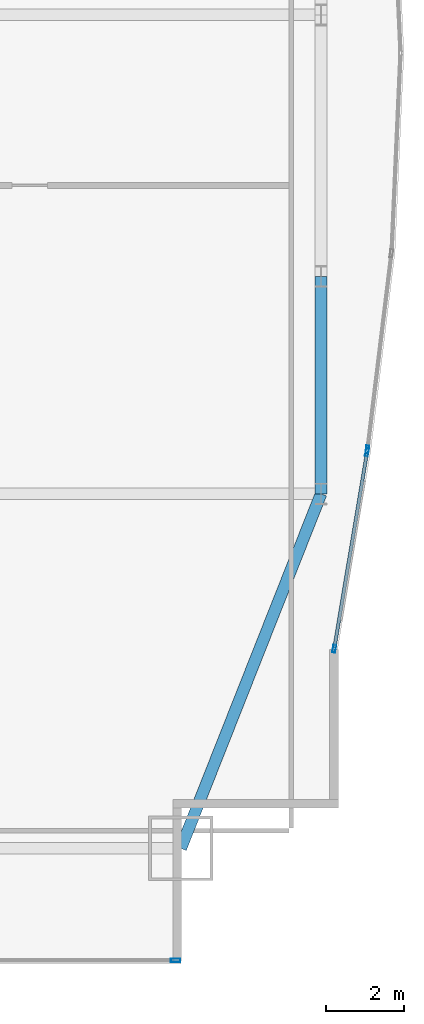
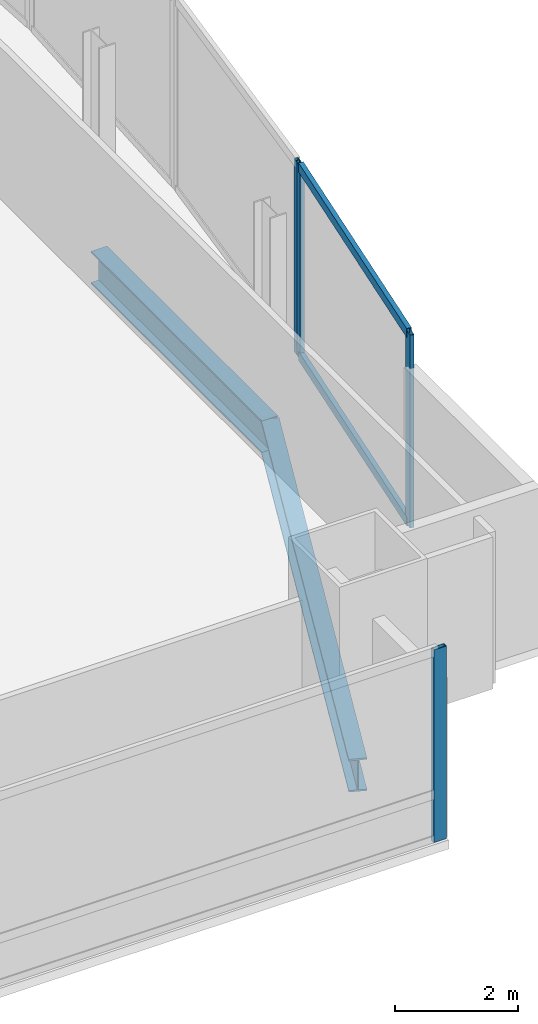
# One storey, part 21 of 32: 6 members, 2 beams, 3 elements without a shape of their own.
"""IFC4 building model written with IfcOpenShell, lengths in metres."""

from ifc_helpers import new_model, si_unit, direction, frame, origin, origin_2d, place, context, subcontext, project, spatial, hollow_rectangle, i_section, extrude, material, material_profile, profile_set, type_object, element, aggregate, save


model = new_model("IFC4")

# Units and contexts
model_context = context("Model", 3, precision=1e-05, world=origin(), true_north=direction((0.0, 1.0)))
body_context = subcontext(model_context, "Body", "Model", "MODEL_VIEW")
ifc_project = project(units=[si_unit("LENGTHUNIT", "METRE"), si_unit("AREAUNIT", "SQUARE_METRE"), si_unit("VOLUMEUNIT", "CUBIC_METRE"), si_unit("PLANEANGLEUNIT", "RADIAN"), si_unit("MASSUNIT", "GRAM", prefix="KILO")], contexts=[model_context])

# Site, building, storey
site_placement = place(None, origin())
site = spatial("IfcSite", under=ifc_project, at=site_placement, CompositionType="ELEMENT")
building_placement = place(site_placement, origin())
building = spatial("IfcBuilding", under=site, at=building_placement, Name="Khoronbel Lancet Exchange", CompositionType="ELEMENT")
storey_placement = place(building_placement, frame((0.0, 0.0, 41.800048828125)))
storey = spatial("IfcBuildingStorey", under=building, at=storey_placement, Name="L09", CompositionType="ELEMENT", Elevation=41.800048828125)

# Beams
ifc_material_1 = material(Name="Steel S355", Category="steel")
ifc_material_profile_1 = material_profile(ifc_material_1, i_section(OverallWidth=0.300048828125, OverallDepth=0.64990234375, WebThickness=0.01611328125, FlangeThickness=0.031005859375, at=origin_2d()), Name="HEB 650")
ifc_profile_set_1 = profile_set([ifc_material_profile_1], Name="Steel S355")
beam_type = type_object("IfcBeamType", Name="BM-BSP1", PredefinedType="SPANDREL", material=ifc_profile_set_1)
beam_1_placement = place(storey_placement, frame((68.050048828125, 10.14990234375, -0.505126953125), z_axis=(0.367828403855, 0.929893684954, 0.0), x_axis=(-0.929893684954, 0.367828403855, 0.0)))
element("IfcBeam", 1, at=beam_1_placement, inside=storey, type_object=beam_type, Name="Level L09 perimeter spandrel beam SP10", PredefinedType="SPANDREL", context=body_context, shape_type="SweptSolid", body=[
    extrude(i_section(OverallWidth=0.300048828125, OverallDepth=0.64990234375, WebThickness=0.01611328125, FlangeThickness=0.031005859375, at=origin_2d()), origin(), (0.0, 0.0, 1.0), 9.732421875),
])
beam_2_placement = place(storey_placement, frame((71.6298828125, 19.199951171875, -0.505126953125), z_axis=(0.0, 1.0, 0.0), x_axis=(-1.0, 0.0, 0.0)))
element("IfcBeam", 2, at=beam_2_placement, inside=storey, type_object=beam_type, Name="Level L09 perimeter spandrel beam SP11", PredefinedType="SPANDREL", context=body_context, shape_type="SweptSolid", body=[
    extrude(i_section(OverallWidth=0.300048828125, OverallDepth=0.64990234375, WebThickness=0.01611328125, FlangeThickness=0.031005859375, at=origin_2d()), origin(), (0.0, 0.0, 1.0), 5.550048828125),
])

# Curtain wall, member
ifc_material_2 = material(Name="Low-E Solar Control Insulating Glass", Category="glass")
curtain_wall_type_1 = type_object("IfcCurtainWallType", Name="CW-1", PredefinedType="NOTDEFINED", material=ifc_material_2)
curtain_wall_1_placement = place(storey_placement, origin())
curtain_wall_1 = element("IfcCurtainWall", 3, at=curtain_wall_1_placement, inside=storey, type_object=curtain_wall_type_1, Name="Unitised curtain wall CW-L09-SEV", PredefinedType="NOTDEFINED")
ifc_material_3 = material(Name="Bronze-Anodised Aluminium 6063-T6", Category="aluminium")
ifc_material_profile_2 = material_profile(ifc_material_3, hollow_rectangle(XDim=0.0849609375, YDim=0.239990234375, WallThickness=0.006103515625, at=origin_2d()), Name="ALU MULLION 85x240")
ifc_profile_set_2 = profile_set([ifc_material_profile_2], Name="Bronze-Anodised Aluminium 6063-T6")
member_type_1 = type_object("IfcMemberType", Name="MEM-CWM1", PredefinedType="MULLION", material=ifc_profile_set_2)
member_1_placement = place(storey_placement, frame((67.91748046875, 7.2900390625, 0.0), z_axis=(0.0, 0.0, 1.0), x_axis=(0.0, 1.0, 0.0)))
member_1 = element("IfcMember", 4, at=member_1_placement, type_object=member_type_1, Name="CW1 mullion 2", PredefinedType="MULLION", context=body_context, shape_type="SweptSolid", body=[
    extrude(hollow_rectangle(XDim=0.0849609375, YDim=0.239990234375, WallThickness=0.006103515625, at=origin_2d()), origin(), (0.0, 0.0, 1.0), 3.820068359375),
])
aggregate(curtain_wall_1, [member_1])

curtain_wall_type_2 = type_object("IfcCurtainWallType", Name="CW-4", PredefinedType="NOTDEFINED", material=ifc_material_2)
curtain_wall_2_placement = place(storey_placement, origin())
curtain_wall_2 = element("IfcCurtainWall", 5, at=curtain_wall_2_placement, inside=storey, type_object=curtain_wall_type_2, Name="Unitised curtain wall CW-L09-E21", PredefinedType="NOTDEFINED")
ifc_material_profile_3 = material_profile(ifc_material_3, hollow_rectangle(XDim=0.074951171875, YDim=0.199951171875, WallThickness=0.0048828125, at=origin_2d()), Name="ALU MULLION 75x200")
ifc_profile_set_3 = profile_set([ifc_material_profile_3], Name="Bronze-Anodised Aluminium 6063-T6")
member_type_2 = type_object("IfcMemberType", Name="MEM-CWM2", PredefinedType="MULLION", material=ifc_profile_set_3)
member_2_placement = place(storey_placement, frame((72.813720703125, 20.33349609375, 0.0), z_axis=(0.0, 0.0, 1.0), x_axis=(0.992621623813, -0.121253090432, 0.0)))
member_2 = element("IfcMember", 6, at=member_2_placement, type_object=member_type_2, Name="CW4 mullion 2", PredefinedType="MULLION", context=body_context, shape_type="SweptSolid", body=[
    extrude(hollow_rectangle(XDim=0.074951171875, YDim=0.199951171875, WallThickness=0.0048828125, at=origin_2d()), origin(), (0.0, 0.0, 1.0), 3.820068359375),
])
aggregate(curtain_wall_2, [member_2])

# Curtain wall, members
curtain_wall_3_placement = place(storey_placement, origin())
curtain_wall_3 = element("IfcCurtainWall", 7, at=curtain_wall_3_placement, inside=storey, type_object=curtain_wall_type_2, Name="Unitised curtain wall CW-L09-E22", PredefinedType="NOTDEFINED")
member_3_placement = place(storey_placement, frame((72.802978515625, 20.25927734375, 0.0), z_axis=(0.0, 0.0, 1.0), x_axis=(0.986359850865, -0.164603294624, 0.0)))
member_3 = element("IfcMember", 8, at=member_3_placement, type_object=member_type_2, Name="CW4 mullion 1", PredefinedType="MULLION", context=body_context, shape_type="SweptSolid", body=[
    extrude(hollow_rectangle(XDim=0.074951171875, YDim=0.199951171875, WallThickness=0.0048828125, at=origin_2d()), origin(), (0.0, 0.0, 1.0), 3.820068359375),
])
member_4_placement = place(storey_placement, frame((71.966064453125, 15.244384765625, 0.0), z_axis=(0.0, 0.0, 1.0), x_axis=(0.986359850865, -0.164603294624, 0.0)))
member_4 = element("IfcMember", 9, at=member_4_placement, type_object=member_type_2, Name="CW4 mullion 2", PredefinedType="MULLION", context=body_context, shape_type="SweptSolid", body=[
    extrude(hollow_rectangle(XDim=0.074951171875, YDim=0.199951171875, WallThickness=0.0048828125, at=origin_2d()), origin(), (0.0, 0.0, 1.0), 3.820068359375),
])
ifc_material_profile_4 = material_profile(ifc_material_3, hollow_rectangle(XDim=0.0849609375, YDim=0.179931640625, WallThickness=0.0048828125, at=origin_2d()), Name="ALU TRANSOM 85x180")
ifc_profile_set_4 = profile_set([ifc_material_profile_4], Name="Bronze-Anodised Aluminium 6063-T6")
member_type_3 = type_object("IfcMemberType", Name="MEM-CWT1", PredefinedType="USERDEFINED", material=ifc_profile_set_4)
member_5_placement = place(storey_placement, frame((72.796875, 20.22216796875, 0.04248046875), z_axis=(-0.164596580523, -0.986360971288, 0.0), x_axis=(0.986360971288, -0.164596580523, 0.0)))
member_5 = element("IfcMember", 10, at=member_5_placement, type_object=member_type_3, Name="CW4 transom 1.1", ObjectType="TRANSOM", PredefinedType="USERDEFINED", context=body_context, shape_type="SweptSolid", body=[
    extrude(hollow_rectangle(XDim=0.0849609375, YDim=0.179931640625, WallThickness=0.0048828125, at=origin_2d()), origin(), (0.0, 0.0, 1.0), 5.009033203125),
])
member_6_placement = place(storey_placement, frame((72.796875, 20.22216796875, 3.77734375), z_axis=(-0.164596580523, -0.986360971288, 0.0), x_axis=(0.986360971288, -0.164596580523, 0.0)))
member_6 = element("IfcMember", 11, at=member_6_placement, type_object=member_type_3, Name="CW4 transom 1.2", ObjectType="TRANSOM", PredefinedType="USERDEFINED", context=body_context, shape_type="SweptSolid", body=[
    extrude(hollow_rectangle(XDim=0.0849609375, YDim=0.179931640625, WallThickness=0.0048828125, at=origin_2d()), origin(), (0.0, 0.0, 1.0), 5.009033203125),
])
aggregate(curtain_wall_3, [member_3, member_4, member_5, member_6])

save(model, "model.ifc")
